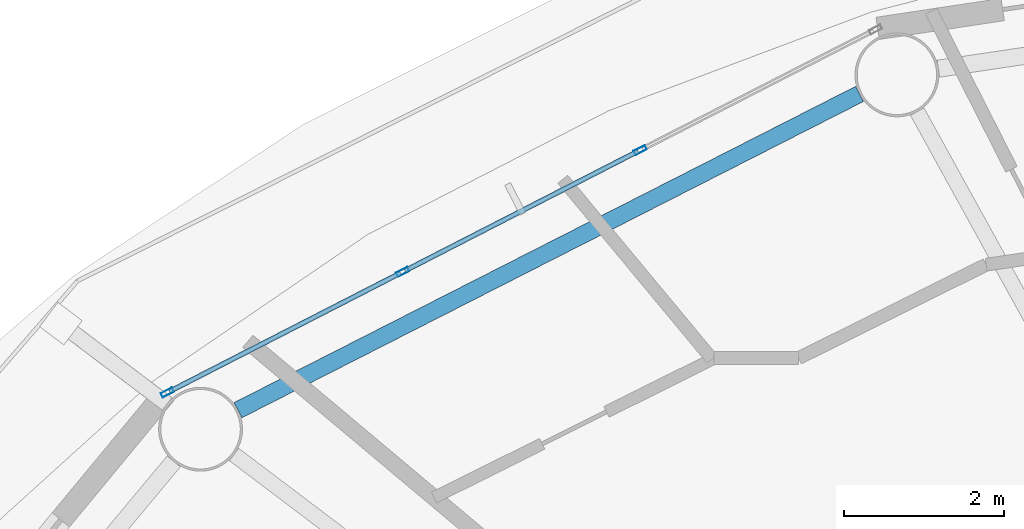
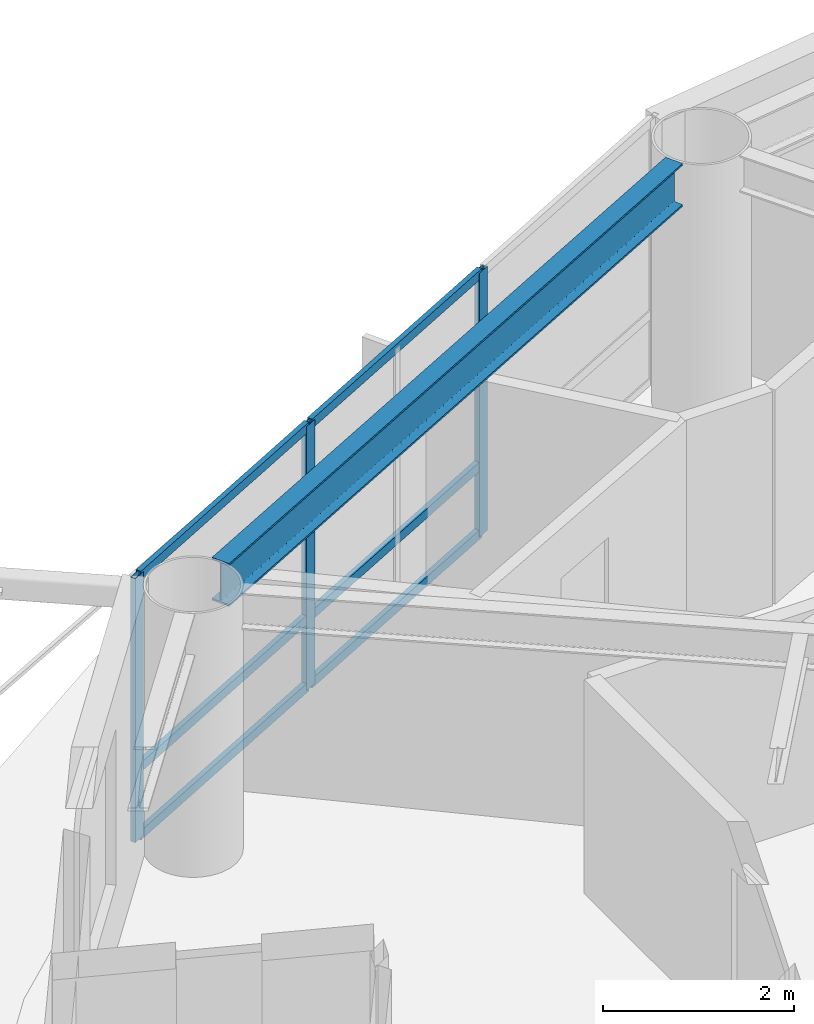
# One storey, part 11 of 28: 9 members, 1 beam, 1 element without a shape of its own.
"""IFC4 building model written with IfcOpenShell, lengths in metres."""

from ifc_helpers import new_model, si_unit, direction, frame, origin, origin_2d, place, context, subcontext, project, spatial, hollow_rectangle, i_section, extrude, material, layer, layer_set, material_profile, profile_set, type_object, element, aggregate, save


model = new_model("IFC4")

# Units and contexts
model_context = context("Model", 3, precision=1e-05, world=origin(), true_north=direction((0.0, 1.0)))
body_context = subcontext(model_context, "Body", "Model", "MODEL_VIEW")
ifc_project = project(units=[si_unit("LENGTHUNIT", "METRE"), si_unit("AREAUNIT", "SQUARE_METRE"), si_unit("VOLUMEUNIT", "CUBIC_METRE"), si_unit("PLANEANGLEUNIT", "RADIAN"), si_unit("MASSUNIT", "GRAM", prefix="KILO")], contexts=[model_context])

# Site, building, storey
site_placement = place(None, origin())
site = spatial("IfcSite", under=ifc_project, at=site_placement, CompositionType="ELEMENT")
building_placement = place(site_placement, origin())
building = spatial("IfcBuilding", under=site, at=building_placement, Name="Sarneth Arch Tower", CompositionType="ELEMENT")
storey_placement = place(building_placement, frame((0.0, 0.0, 172.199951171875)))
storey = spatial("IfcBuildingStorey", under=building, at=storey_placement, Name="L43", CompositionType="ELEMENT", Elevation=172.199951171875)

# Beam
ifc_material_1 = material(Name="Steel S355", Category="steel")
ifc_material_profile_1 = material_profile(ifc_material_1, i_section(OverallWidth=0.214111328125, OverallDepth=0.549072265625, WebThickness=0.0146484375, FlangeThickness=0.023681640625, FilletRadius=0.01806640625, at=origin_2d()), Name="W530x138")
ifc_profile_set_1 = profile_set([ifc_material_profile_1], Name="Steel S355")
beam_type = type_object("IfcBeamType", Name="BM-RAD-530A", PredefinedType="BEAM", material=ifc_profile_set_1)
beam_placement = place(storey_placement, frame((37.1103515625, 60.6552734375, 3.10546875), z_axis=(-0.891254220899, -0.453504039374, 0.0), x_axis=(0.453504039374, -0.891254220899, 0.0)))
element("IfcBeam", 1, at=beam_placement, inside=storey, type_object=beam_type, Name="L43 Perimeter spandrel beam 06", PredefinedType="BEAM", context=body_context, shape_type="SweptSolid", body=[
    extrude(i_section(OverallWidth=0.214111328125, OverallDepth=0.549072265625, WebThickness=0.0146484375, FlangeThickness=0.023681640625, FilletRadius=0.01806640625, at=origin_2d()), origin(), (0.0, 0.0, 1.0), 8.724853515625),
])

# Curtain wall, members
ifc_material_2 = material(Name="Anodised aluminium Type AA25 and solar-control low-e laminated IGU", Category="aluminium")
ifc_layer = layer(ifc_material_2, 0.169921875)
ifc_layer_set = layer_set([ifc_layer], Name="Anodised aluminium Type AA25 and solar-control low-e laminated IGU")
curtain_wall_type = type_object("IfcCurtainWallType", Name="CW-RES-MID", PredefinedType="NOTDEFINED", material=ifc_layer_set)
curtain_wall_placement = place(storey_placement, origin())
curtain_wall = element("IfcCurtainWall", 2, at=curtain_wall_placement, inside=storey, type_object=curtain_wall_type, Name="L43 Unitised curtain wall facet 06", PredefinedType="NOTDEFINED")
ifc_material_3 = material(Name="Anodised Aluminium 6063-T6", Category="aluminium")
ifc_material_profile_2 = material_profile(ifc_material_3, hollow_rectangle(XDim=0.06005859375, YDim=0.159912109375, WallThickness=0.00390625, at=origin_2d()), Name="AL-MULL-160x60x4")
ifc_profile_set_2 = profile_set([ifc_material_profile_2], Name="Anodised Aluminium 6063-T6")
member_type_1 = type_object("IfcMemberType", Name="CW-MULLION", PredefinedType="MULLION", material=ifc_profile_set_2)
member_1_placement = place(storey_placement, frame((34.365966796875, 59.9521484375, 0.0), z_axis=(0.0, 0.0, 1.0), x_axis=(0.456208470329, -0.88987293003, 0.0)))
member_1 = element("IfcMember", 3, at=member_1_placement, type_object=member_type_1, Name="CW-SYS-5 mullion 2", PredefinedType="MULLION", context=body_context, shape_type="SweptSolid", body=[
    extrude(hollow_rectangle(XDim=0.06005859375, YDim=0.159912109375, WallThickness=0.00390625, at=origin_2d()), origin(), (0.0, 0.0, 1.0), 3.380126953125),
])
member_2_placement = place(storey_placement, frame((31.39501953125, 58.428955078125, 0.0), z_axis=(0.0, 0.0, 1.0), x_axis=(0.456208470329, -0.88987293003, 0.0)))
member_2 = element("IfcMember", 4, at=member_2_placement, type_object=member_type_1, Name="CW-SYS-5 mullion 3", PredefinedType="MULLION", context=body_context, shape_type="SweptSolid", body=[
    extrude(hollow_rectangle(XDim=0.06005859375, YDim=0.159912109375, WallThickness=0.00390625, at=origin_2d()), origin(), (0.0, 0.0, 1.0), 3.380126953125),
])
member_3_placement = place(storey_placement, frame((28.450439453125, 56.91943359375, 0.0), z_axis=(0.0, 0.0, 1.0), x_axis=(0.456208470329, -0.88987293003, 0.0)))
member_3 = element("IfcMember", 5, at=member_3_placement, type_object=member_type_1, Name="CW-SYS-5 mullion 4", PredefinedType="MULLION", context=body_context, shape_type="SweptSolid", body=[
    extrude(hollow_rectangle(XDim=0.06005859375, YDim=0.159912109375, WallThickness=0.00390625, at=origin_2d()), origin(), (0.0, 0.0, 1.0), 3.380126953125),
])
ifc_material_4 = material(Name="Anodised Aluminium 6063-T6", Category="aluminium")
ifc_material_profile_3 = material_profile(ifc_material_4, hollow_rectangle(XDim=0.06005859375, YDim=0.1201171875, WallThickness=0.00390625, at=origin_2d()), Name="AL-TRAN-120x60x4")
ifc_profile_set_3 = profile_set([ifc_material_profile_3], Name="Anodised Aluminium 6063-T6")
member_type_2 = type_object("IfcMemberType", Name="CW-TRANSOM", PredefinedType="USERDEFINED", material=ifc_profile_set_3)
member_4_placement = place(storey_placement, frame((34.33935546875, 59.9384765625, 0.030029296875), z_axis=(-0.889869396751, -0.45621536222, 0.0), x_axis=(0.45621536222, -0.889869396751, 0.0)))
member_4 = element("IfcMember", 6, at=member_4_placement, type_object=member_type_2, Name="CW-SYS-5 transom 2.1", ObjectType="TRANSOM", PredefinedType="USERDEFINED", context=body_context, shape_type="SweptSolid", body=[
    extrude(hollow_rectangle(XDim=0.06005859375, YDim=0.1201171875, WallThickness=0.00390625, at=origin_2d()), origin(), (0.0, 0.0, 1.0), 3.27880859375),
])
member_5_placement = place(storey_placement, frame((34.33935546875, 59.9384765625, 0.900146484375), z_axis=(-0.889869396751, -0.45621536222, 0.0), x_axis=(0.45621536222, -0.889869396751, 0.0)))
member_5 = element("IfcMember", 7, at=member_5_placement, type_object=member_type_2, Name="CW-SYS-5 transom 2.2", ObjectType="TRANSOM", PredefinedType="USERDEFINED", context=body_context, shape_type="SweptSolid", body=[
    extrude(hollow_rectangle(XDim=0.06005859375, YDim=0.1201171875, WallThickness=0.00390625, at=origin_2d()), origin(), (0.0, 0.0, 1.0), 3.27880859375),
])
member_6_placement = place(storey_placement, frame((34.33935546875, 59.9384765625, 3.35009765625), z_axis=(-0.889869396751, -0.45621536222, 0.0), x_axis=(0.45621536222, -0.889869396751, 0.0)))
member_6 = element("IfcMember", 8, at=member_6_placement, type_object=member_type_2, Name="CW-SYS-5 transom 2.3", ObjectType="TRANSOM", PredefinedType="USERDEFINED", context=body_context, shape_type="SweptSolid", body=[
    extrude(hollow_rectangle(XDim=0.06005859375, YDim=0.1201171875, WallThickness=0.00390625, at=origin_2d()), origin(), (0.0, 0.0, 1.0), 3.27880859375),
])
member_7_placement = place(storey_placement, frame((31.3681640625, 58.415283203125, 0.030029296875), z_axis=(-0.889857362344, -0.456238835131, 0.0), x_axis=(0.456238835131, -0.889857362344, 0.0)))
member_7 = element("IfcMember", 9, at=member_7_placement, type_object=member_type_2, Name="CW-SYS-5 transom 3.1", ObjectType="TRANSOM", PredefinedType="USERDEFINED", context=body_context, shape_type="SweptSolid", body=[
    extrude(hollow_rectangle(XDim=0.06005859375, YDim=0.1201171875, WallThickness=0.00390625, at=origin_2d()), origin(), (0.0, 0.0, 1.0), 3.248779296875),
])
member_8_placement = place(storey_placement, frame((31.3681640625, 58.415283203125, 0.900146484375), z_axis=(-0.889857362344, -0.456238835131, 0.0), x_axis=(0.456238835131, -0.889857362344, 0.0)))
member_8 = element("IfcMember", 10, at=member_8_placement, type_object=member_type_2, Name="CW-SYS-5 transom 3.2", ObjectType="TRANSOM", PredefinedType="USERDEFINED", context=body_context, shape_type="SweptSolid", body=[
    extrude(hollow_rectangle(XDim=0.06005859375, YDim=0.1201171875, WallThickness=0.00390625, at=origin_2d()), origin(), (0.0, 0.0, 1.0), 3.248779296875),
])
member_9_placement = place(storey_placement, frame((31.3681640625, 58.415283203125, 3.35009765625), z_axis=(-0.889857362344, -0.456238835131, 0.0), x_axis=(0.456238835131, -0.889857362344, 0.0)))
member_9 = element("IfcMember", 11, at=member_9_placement, type_object=member_type_2, Name="CW-SYS-5 transom 3.3", ObjectType="TRANSOM", PredefinedType="USERDEFINED", context=body_context, shape_type="SweptSolid", body=[
    extrude(hollow_rectangle(XDim=0.06005859375, YDim=0.1201171875, WallThickness=0.00390625, at=origin_2d()), origin(), (0.0, 0.0, 1.0), 3.248779296875),
])
aggregate(curtain_wall, [member_1, member_2, member_3, member_4, member_5, member_6, member_7, member_8, member_9])

save(model, "model.ifc")
